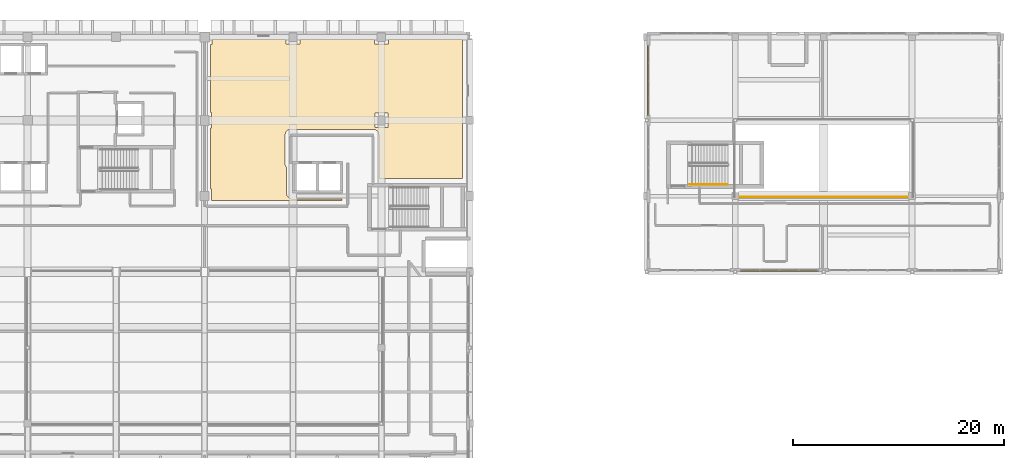
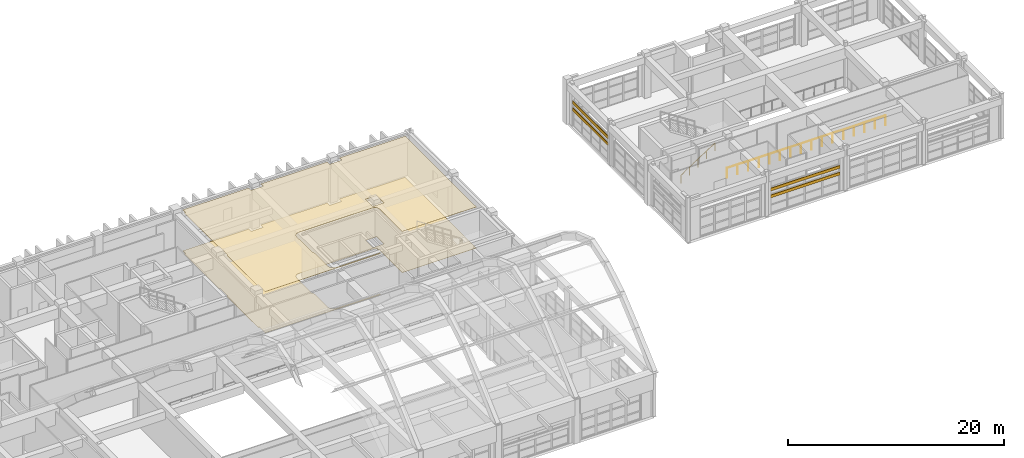
# One storey, part 101 of 103: 4 shading devices, 2 coverings, 2 railings.
"""IFC4 building model written with IfcOpenShell, lengths in metres."""

from ifc_helpers import new_model, si_unit, direction, frame, origin, origin_2d, place, context, subcontext, project, spatial, polyline, hollow_rectangle, circle, outline, extrude, material, layer, layer_set, material_profile, profile_set, type_object, element, save


model = new_model("IFC4")

# Units and contexts
model_context = context("Model", 3, precision=1e-05, world=origin(), true_north=direction((0.0, 1.0)))
body_context = subcontext(model_context, "Body", "Model", "MODEL_VIEW")
ifc_project = project(units=[si_unit("LENGTHUNIT", "METRE"), si_unit("AREAUNIT", "SQUARE_METRE"), si_unit("VOLUMEUNIT", "CUBIC_METRE"), si_unit("PLANEANGLEUNIT", "RADIAN"), si_unit("MASSUNIT", "GRAM", prefix="KILO")], contexts=[model_context])

# Site, building, storey
site_placement = place(None, origin())
site = spatial("IfcSite", under=ifc_project, at=site_placement, CompositionType="ELEMENT")
building_placement = place(site_placement, origin())
building = spatial("IfcBuilding", under=site, at=building_placement, Name="Quendrovan Civic Courthouse", CompositionType="ELEMENT")
storey_placement = place(building_placement, frame((0.0, 0.0, 15.300048828125)))
storey = spatial("IfcBuildingStorey", under=building, at=storey_placement, Name="L04", CompositionType="ELEMENT", Elevation=15.300048828125)

# Coverings
ifc_material_1 = material(Name="Perforated Western Red Cedar and mineral acoustic ceiling")
ifc_layer_1 = layer(ifc_material_1, 0.034912109375, Name="Perforated Western Red Cedar and mineral acoustic ceiling")
ifc_layer_set_1 = layer_set([ifc_layer_1], Name="Perforated Western Red Cedar and mineral acoustic ceiling")
covering_type_1 = type_object("IfcCoveringType", Name="COV-CEIL-ACOUSTIC", PredefinedType="CEILING", material=ifc_layer_set_1)
covering_1_placement = place(storey_placement, frame((0.0, 0.0, 4.64501953125)))
element("IfcCovering", 1, at=covering_1_placement, inside=storey, type_object=covering_type_1, Name="L04 Trial Courtroom Acoustic Ceiling", PredefinedType="CEILING", context=body_context, shape_type="SweptSolid", body=[
    extrude(outline(polyline([(83.747314453125, 100.65380859375), (83.739501953125, 100.707275390625), (83.726318359375, 100.759765625), (83.7080078125, 100.810546875), (83.68505859375, 100.859375), (83.6572265625, 100.905517578125), (83.625244140625, 100.948974609375), (83.5888671875, 100.989013671875), (83.548828125, 101.025146484375), (83.505615234375, 101.057373046875), (83.459228515625, 101.085205078125), (83.410400390625, 101.108154296875), (83.359619140625, 101.126220703125), (83.307373046875, 101.139404296875), (83.25390625, 101.1474609375), (83.199951171875, 101.14990234375), (75.39990234375, 101.14990234375), (75.34619140625, 101.1474609375), (75.292724609375, 101.139404296875), (75.240234375, 101.126220703125), (75.189453125, 101.108154296875), (75.140625, 101.085205078125), (75.094482421875, 101.057373046875), (75.051025390625, 101.025146484375), (75.010986328125, 100.989013671875), (74.974853515625, 100.948974609375), (74.942626953125, 100.905517578125), (74.914794921875, 100.859375), (74.891845703125, 100.810546875), (74.873779296875, 100.759765625), (74.860595703125, 100.707275390625), (74.8525390625, 100.65380859375), (74.85009765625, 100.60009765625), (74.85009765625, 97.89990234375), (74.8525390625, 97.84619140625), (74.860595703125, 97.792724609375), (74.873779296875, 97.740234375), (74.891845703125, 97.689453125), (74.914794921875, 97.640625), (74.942626953125, 97.594482421875), (74.974853515625, 97.551025390625), (74.989990234375, 97.534423828125), (74.989990234375, 95.090087890625), (74.99267578125, 95.0361328125), (75.00048828125, 94.982666015625), (75.013671875, 94.930419921875), (75.031982421875, 94.87939453125), (75.054931640625, 94.830810546875), (75.082763671875, 94.784423828125), (75.11474609375, 94.7412109375), (75.151123046875, 94.701171875), (75.191162109375, 94.664794921875), (75.234375, 94.6328125), (75.28076171875, 94.60498046875), (75.32958984375, 94.581787109375), (75.38037109375, 94.563720703125), (75.4326171875, 94.550537109375), (75.486083984375, 94.54248046875), (75.5400390625, 94.5400390625), (80.25, 94.5400390625), (80.25, 94.39990234375), (67.875, 94.39990234375), (67.875, 95.47509765625), (67.75, 95.47509765625), (67.75, 101.27490234375), (67.85009765625, 101.27490234375), (67.85009765625, 102.72509765625), (67.75, 102.72509765625), (67.75, 109.199951171875), (67.89990234375, 109.199951171875), (67.89990234375, 109.68994140625), (74.949951171875, 109.68994140625), (74.949951171875, 109.25), (76.25, 109.25), (76.25, 109.68994140625), (83.35009765625, 109.68994140625), (83.35009765625, 109.25), (84.64990234375, 109.25), (84.64990234375, 109.68994140625), (91.68994140625, 109.68994140625), (91.68994140625, 96.469970703125), (83.75, 96.469970703125), (83.75, 100.60009765625), (83.747314453125, 100.65380859375)]), holes=[polyline([(83.39990234375, 101.324951171875), (84.60009765625, 101.324951171875), (84.60009765625, 102.675048828125), (83.39990234375, 102.675048828125), (83.39990234375, 101.324951171875)])]), origin(), (0.0, 0.0, 1.0), 0.034912109375),
])
ifc_material_2 = material(Name="Solid oak courtroom parquet flooring")
ifc_layer_2 = layer(ifc_material_2, 0.02490234375, Name="Solid oak courtroom parquet flooring")
ifc_layer_set_2 = layer_set([ifc_layer_2], Name="Solid oak courtroom parquet flooring")
covering_type_2 = type_object("IfcCoveringType", Name="COV-FLOR-TIMBER", PredefinedType="FLOORING", material=ifc_layer_set_2)
covering_2_placement = place(storey_placement, origin())
element("IfcCovering", 2, at=covering_2_placement, inside=storey, type_object=covering_type_2, Name="L04 Trial Courtroom Finish Flooring", PredefinedType="FLOORING", context=body_context, shape_type="SweptSolid", body=[
    extrude(outline(polyline([(83.747314453125, 100.65380859375), (83.739501953125, 100.707275390625), (83.726318359375, 100.759765625), (83.7080078125, 100.810546875), (83.68505859375, 100.859375), (83.6572265625, 100.905517578125), (83.625244140625, 100.948974609375), (83.5888671875, 100.989013671875), (83.548828125, 101.025146484375), (83.505615234375, 101.057373046875), (83.459228515625, 101.085205078125), (83.410400390625, 101.108154296875), (83.359619140625, 101.126220703125), (83.307373046875, 101.139404296875), (83.25390625, 101.1474609375), (83.199951171875, 101.14990234375), (75.39990234375, 101.14990234375), (75.34619140625, 101.1474609375), (75.292724609375, 101.139404296875), (75.240234375, 101.126220703125), (75.189453125, 101.108154296875), (75.140625, 101.085205078125), (75.094482421875, 101.057373046875), (75.051025390625, 101.025146484375), (75.010986328125, 100.989013671875), (74.974853515625, 100.948974609375), (74.942626953125, 100.905517578125), (74.914794921875, 100.859375), (74.891845703125, 100.810546875), (74.873779296875, 100.759765625), (74.860595703125, 100.707275390625), (74.8525390625, 100.65380859375), (74.85009765625, 100.60009765625), (74.85009765625, 97.89990234375), (74.8525390625, 97.84619140625), (74.860595703125, 97.792724609375), (74.873779296875, 97.740234375), (74.891845703125, 97.689453125), (74.914794921875, 97.640625), (74.942626953125, 97.594482421875), (74.974853515625, 97.551025390625), (74.989990234375, 97.534423828125), (74.989990234375, 95.090087890625), (74.99267578125, 95.0361328125), (75.00048828125, 94.982666015625), (75.013671875, 94.930419921875), (75.031982421875, 94.87939453125), (75.054931640625, 94.830810546875), (75.082763671875, 94.784423828125), (75.11474609375, 94.7412109375), (75.151123046875, 94.701171875), (75.191162109375, 94.664794921875), (75.234375, 94.6328125), (75.28076171875, 94.60498046875), (75.32958984375, 94.581787109375), (75.38037109375, 94.563720703125), (75.4326171875, 94.550537109375), (75.486083984375, 94.54248046875), (75.5400390625, 94.5400390625), (80.25, 94.5400390625), (80.25, 94.39990234375), (67.875, 94.39990234375), (67.875, 95.47509765625), (67.75, 95.47509765625), (67.75, 101.27490234375), (67.85009765625, 101.27490234375), (67.85009765625, 102.72509765625), (67.75, 102.72509765625), (67.75, 109.199951171875), (67.89990234375, 109.199951171875), (67.89990234375, 109.68994140625), (74.949951171875, 109.68994140625), (74.949951171875, 109.25), (76.25, 109.25), (76.25, 109.68994140625), (83.35009765625, 109.68994140625), (83.35009765625, 109.25), (84.64990234375, 109.25), (84.64990234375, 109.68994140625), (91.68994140625, 109.68994140625), (91.68994140625, 96.469970703125), (83.75, 96.469970703125), (83.75, 100.60009765625), (83.747314453125, 100.65380859375)]), holes=[polyline([(83.39990234375, 101.324951171875), (84.60009765625, 101.324951171875), (84.60009765625, 102.675048828125), (83.39990234375, 102.675048828125), (83.39990234375, 101.324951171875)])]), origin(), (0.0, 0.0, 1.0), 0.02490234375),
])

# Railings
ifc_material_3 = material(Name="Bronze anodised aluminium", Category="aluminium")
railing_type_1 = type_object("IfcRailingType", Name="RL-ATR-GUARD1100", PredefinedType="GUARDRAIL", material=ifc_material_3)
railing_1_placement = place(storey_placement, frame((117.52001953125, 94.719970703125, 0.0)))
element("IfcRailing", 3, at=railing_1_placement, inside=storey, type_object=railing_type_1, Name="L04 Atrium and Well Perimeter Guardrail 028", PredefinedType="GUARDRAIL", context=body_context, shape_type="SweptSolid", body=[
    extrude(circle(Radius=0.02392578125, at=origin_2d()), frame((0.0, 0.0, 1.09619140625), z_axis=(1.0, 0.0, 0.0), x_axis=(0.0, 1.0, 0.0)), (0.0, 0.0, 1.0), 16.9599609375),
    extrude(circle(Radius=0.02099609375, at=origin_2d()), origin(), (0.0, 0.0, 1.0), 1.072021484375),
    extrude(circle(Radius=0.02099609375, at=origin_2d()), frame((1.130615234375, 0.0, 0.0)), (0.0, 0.0, 1.0), 1.072021484375),
    extrude(circle(Radius=0.02099609375, at=origin_2d()), frame((2.26123046875, 0.0, 0.0)), (0.0, 0.0, 1.0), 1.072021484375),
    extrude(circle(Radius=0.02099609375, at=origin_2d()), frame((3.39208984375, 0.0, 0.0)), (0.0, 0.0, 1.0), 1.072021484375),
    extrude(circle(Radius=0.02099609375, at=origin_2d()), frame((4.522705078125, 0.0, 0.0)), (0.0, 0.0, 1.0), 1.072021484375),
    extrude(circle(Radius=0.02099609375, at=origin_2d()), frame((5.6533203125, 0.0, 0.0)), (0.0, 0.0, 1.0), 1.072021484375),
    extrude(circle(Radius=0.02099609375, at=origin_2d()), frame((6.783935546875, 0.0, 0.0)), (0.0, 0.0, 1.0), 1.072021484375),
    extrude(circle(Radius=0.02099609375, at=origin_2d()), frame((7.91455078125, 0.0, 0.0)), (0.0, 0.0, 1.0), 1.072021484375),
    extrude(circle(Radius=0.02099609375, at=origin_2d()), frame((9.04541015625, 0.0, 0.0)), (0.0, 0.0, 1.0), 1.072021484375),
    extrude(circle(Radius=0.02099609375, at=origin_2d()), frame((10.176025390625, 0.0, 0.0)), (0.0, 0.0, 1.0), 1.072021484375),
    extrude(circle(Radius=0.02099609375, at=origin_2d()), frame((11.306640625, 0.0, 0.0)), (0.0, 0.0, 1.0), 1.072021484375),
    extrude(circle(Radius=0.02099609375, at=origin_2d()), frame((12.437255859375, 0.0, 0.0)), (0.0, 0.0, 1.0), 1.072021484375),
    extrude(circle(Radius=0.02099609375, at=origin_2d()), frame((13.56787109375, 0.0, 0.0)), (0.0, 0.0, 1.0), 1.072021484375),
    extrude(circle(Radius=0.02099609375, at=origin_2d()), frame((14.69873046875, 0.0, 0.0)), (0.0, 0.0, 1.0), 1.072021484375),
    extrude(circle(Radius=0.02099609375, at=origin_2d()), frame((15.829345703125, 0.0, 0.0)), (0.0, 0.0, 1.0), 1.072021484375),
    extrude(circle(Radius=0.02099609375, at=origin_2d()), frame((16.9599609375, 0.0, 0.0)), (0.0, 0.0, 1.0), 1.072021484375),
])
railing_type_2 = type_object("IfcRailingType", Name="RL-STR-HAND900", PredefinedType="HANDRAIL", material=ifc_material_3)
railing_2_placement = place(storey_placement, frame((113.25, 95.89990234375, 0.18212890625)))
element("IfcRailing", 4, at=railing_2_placement, inside=storey, type_object=railing_type_2, Name="L04 ST6 stair handrail 1", PredefinedType="HANDRAIL", context=body_context, shape_type="SweptSolid", body=[
    extrude(circle(Radius=0.02392578125, at=origin_2d()), frame((0.0, 0.0, 0.8759765625), z_axis=(0.838234174257, 0.0, 0.545310433706), x_axis=(0.0, 1.0, 0.0)), (0.0, 0.0, 1.0), 4.34228515625),
    extrude(circle(Radius=0.02099609375, at=origin_2d()), origin(), (0.0, 0.0, 1.0), 0.851806640625),
    extrude(circle(Radius=0.02099609375, at=origin_2d()), frame((0.909912109375, 0.0, 0.592041015625)), (0.0, 0.0, 1.0), 0.851806640625),
    extrude(circle(Radius=0.02099609375, at=origin_2d()), frame((1.81982421875, 0.0, 1.18408203125)), (0.0, 0.0, 1.0), 0.851806640625),
    extrude(circle(Radius=0.02099609375, at=origin_2d()), frame((2.72998046875, 0.0, 1.77587890625)), (0.0, 0.0, 1.0), 0.851806640625),
    extrude(circle(Radius=0.02099609375, at=origin_2d()), frame((3.639892578125, 0.0, 2.367919921875)), (0.0, 0.0, 1.0), 0.851806640625),
])

# Shading devices
ifc_material_profile = material_profile(ifc_material_3, hollow_rectangle(XDim=0.06494140625, YDim=0.320068359375, WallThickness=0.0048828125, at=origin_2d()), Name="AL-LOUVRE-65x320")
ifc_profile_set = profile_set([ifc_material_profile], Name="Bronze anodised aluminium")
shading_device_type = type_object("IfcShadingDeviceType", Name="SHD-STORM-LOUVRE", PredefinedType="JALOUSIE", material=ifc_profile_set)
for number, where, z_axis, x_axis, name in (
    (5, (125.5, 87.68505859375, 1.949951171875), (-1.0, 0.0, 0.0), (0.0, -1.0, 0.0), "L04 Bronze Hurricane Storm Louvre SLV-175"),
    (6, (125.5, 87.68505859375, 2.719970703125), (-1.0, 0.0, 0.0), (0.0, -1.0, 0.0), "L04 Bronze Hurricane Storm Louvre SLV-176"),
):
    element("IfcShadingDevice", number, at=place(storey_placement, frame(where, z_axis=z_axis, x_axis=x_axis)), inside=storey, type_object=shading_device_type, Name=name, PredefinedType="JALOUSIE", context=body_context, shape_type="SweptSolid", body=[
        extrude(hollow_rectangle(XDim=0.06494140625, YDim=0.320068359375, WallThickness=0.0048828125, at=origin_2d()), origin(), (0.0, 0.0, 1.0), 7.39990234375),
    ])
for number, where, z_axis, x_axis, name in (
    (7, (109.284912109375, 102.5, 1.949951171875), (0.0, 1.0, 0.0), (-1.0, 0.0, 0.0), "L04 Bronze Hurricane Storm Louvre SLV-179"),
    (8, (109.284912109375, 102.5, 2.719970703125), (0.0, 1.0, 0.0), (-1.0, 0.0, 0.0), "L04 Bronze Hurricane Storm Louvre SLV-180"),
):
    element("IfcShadingDevice", number, at=place(storey_placement, frame(where, z_axis=z_axis, x_axis=x_axis)), inside=storey, type_object=shading_device_type, Name=name, PredefinedType="JALOUSIE", context=body_context, shape_type="SweptSolid", body=[
        extrude(hollow_rectangle(XDim=0.06494140625, YDim=0.320068359375, WallThickness=0.0048828125, at=origin_2d()), origin(), (0.0, 0.0, 1.0), 6.60009765625),
    ])

save(model, "model.ifc")
